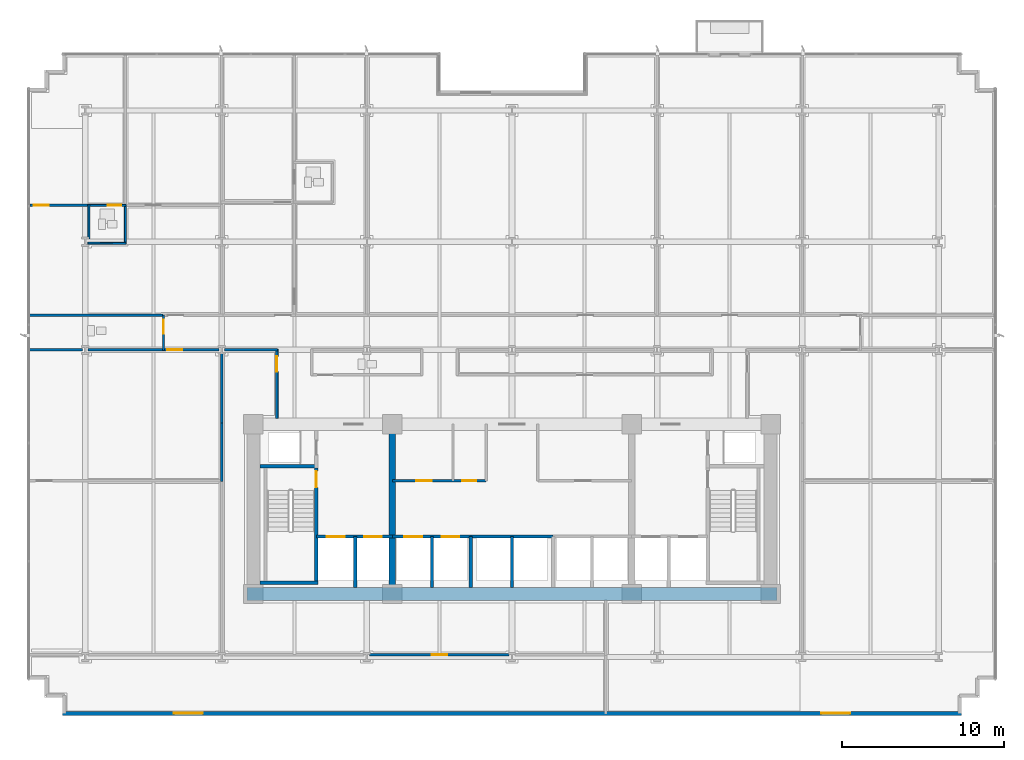
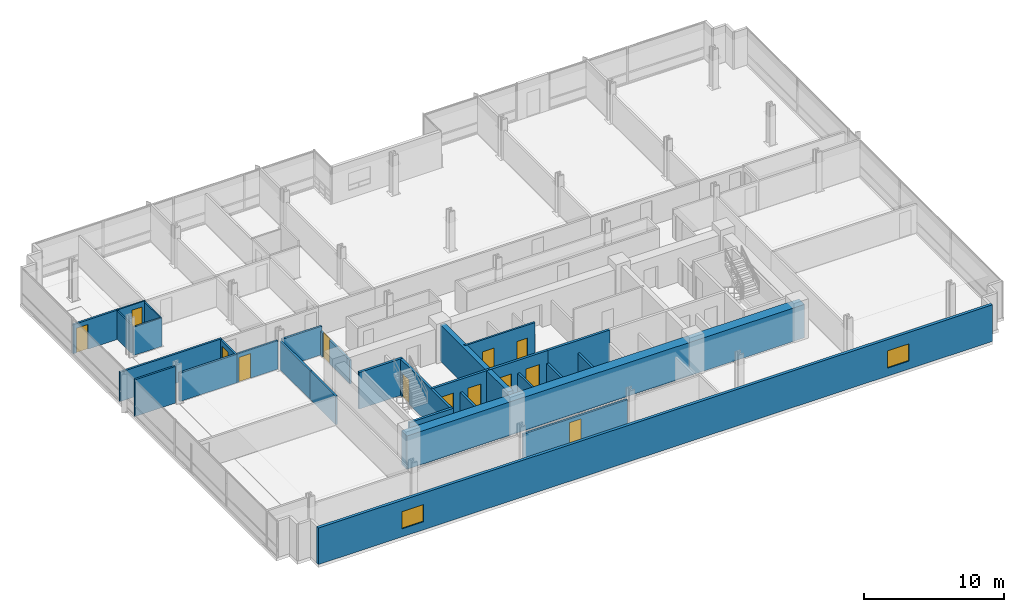
# One storey, part 12 of 21: 29 walls, 13 doors, 2 windows, 15 openings.
"""IFC4 building model written with IfcOpenShell, lengths in metres."""

from ifc_helpers import new_model, si_unit, direction, frame, frame_2d, origin, place, context, subcontext, project, spatial, rectangle, extrude, material, layer, layer_set, type_object, element, fill, save


model = new_model("IFC4")

# Units and contexts
model_context = context("Model", 3, precision=1e-05, world=origin(), true_north=direction((0.0, 1.0)))
body_context = subcontext(model_context, "Body", "Model", "MODEL_VIEW")
ifc_project = project(units=[si_unit("LENGTHUNIT", "METRE"), si_unit("AREAUNIT", "SQUARE_METRE"), si_unit("VOLUMEUNIT", "CUBIC_METRE"), si_unit("PLANEANGLEUNIT", "RADIAN"), si_unit("MASSUNIT", "GRAM", prefix="KILO")], contexts=[model_context])

# Site, building, storey
site_placement = place(None, origin())
site = spatial("IfcSite", under=ifc_project, at=site_placement, CompositionType="ELEMENT")
building_placement = place(site_placement, origin())
building = spatial("IfcBuilding", under=site, at=building_placement, Name="Solmavex Isthmus Hotel", CompositionType="ELEMENT")
storey_placement = place(building_placement, frame((0.0, 0.0, 60.89990234375)))
storey = spatial("IfcBuildingStorey", under=building, at=storey_placement, Name="L16", CompositionType="ELEMENT", Elevation=60.89990234375)

# Wall, openings, windows
ifc_material_1 = material(Name="Precast Concrete C40/50", Category="concrete")
ifc_layer_1 = layer(ifc_material_1, 0.25)
ifc_layer_set_1 = layer_set([ifc_layer_1], Name="Precast Concrete C40/50")
wall_type_1 = type_object("IfcWallType", Name="EW-TWR-250", PredefinedType="STANDARD", material=ifc_layer_set_1)
wall_1_placement = place(storey_placement, frame((-27.800048828125, -20.3798828125, 0.0), z_axis=(0.0, 0.0, 1.0), x_axis=(1.0, 0.0, 0.0)))
wall_1 = element("IfcWall", 1, at=wall_1_placement, inside=storey, type_object=wall_type_1, Name="Tower Rear South Facade Wall L16", PredefinedType="STANDARD", context=body_context, shape_type="SweptSolid", body=[
    extrude(rectangle(XDim=55.60009765625, YDim=0.239990234375, at=frame_2d((27.800048828125, 0.0))), origin(), (0.0, 0.0, 1.0), 3.190185546875),
])
opening_1_placement = place(wall_1_placement, frame((6.884033203125, 0.0, 0.699951171875)))
opening_1 = element("IfcOpeningElement", 2, at=opening_1_placement, cuts=wall_1, Name="Opening WN-02", PredefinedType="OPENING", context=body_context, shape_type="SweptSolid", body=[
    extrude(rectangle(XDim=1.800048828125, YDim=1.5, at=frame_2d((0.89990234375, 0.75))), frame((0.0, 0.1298828125, 0.0), z_axis=(0.0, -1.0, 0.0), x_axis=(1.0, 0.0, 0.0)), (0.0, 0.0, 1.0), 0.260009765625),
])
opening_2_placement = place(wall_1_placement, frame((46.916015625, 0.0, 0.699951171875)))
opening_2 = element("IfcOpeningElement", 3, at=opening_2_placement, cuts=wall_1, Name="Opening WN-02", PredefinedType="OPENING", context=body_context, shape_type="SweptSolid", body=[
    extrude(rectangle(XDim=1.800048828125, YDim=1.5, at=frame_2d((0.89990234375, 0.75))), frame((0.0, 0.1298828125, 0.0), z_axis=(0.0, -1.0, 0.0), x_axis=(1.0, 0.0, 0.0)), (0.0, 0.0, 1.0), 0.260009765625),
])
ifc_material_2 = material(Name="Clear low-E laminated glass", Category="glass")
window_type = type_object("IfcWindowType", Name="WIN-TWR-1800", PartitioningType="SINGLE_PANEL", PredefinedType="WINDOW", material=ifc_material_2)
window_1_placement = place(opening_1_placement, origin())
window_1 = element("IfcWindow", 4, at=window_1_placement, inside=storey, type_object=window_type, Name="South Facade Vision Window L16-S1", OverallHeight=1.5, OverallWidth=1.800048828125, PartitioningType="SINGLE_PANEL", PredefinedType="WINDOW", context=body_context, shape_type="SweptSolid", body=[
    extrude(rectangle(XDim=1.800048828125, YDim=1.5, at=frame_2d((0.89990234375, 0.75))), frame((0.0, 0.030029296875, 0.0), z_axis=(0.0, -1.0, 0.0), x_axis=(1.0, 0.0, 0.0)), (0.0, 0.0, 1.0), 0.06005859375),
])
fill(opening_1, window_1)
window_2_placement = place(opening_2_placement, origin())
window_2 = element("IfcWindow", 5, at=window_2_placement, inside=storey, type_object=window_type, Name="South Facade Vision Window L16-S2", OverallHeight=1.5, OverallWidth=1.800048828125, PartitioningType="SINGLE_PANEL", PredefinedType="WINDOW", context=body_context, shape_type="SweptSolid", body=[
    extrude(rectangle(XDim=1.800048828125, YDim=1.5, at=frame_2d((0.89990234375, 0.75))), frame((0.0, 0.030029296875, 0.0), z_axis=(0.0, -1.0, 0.0), x_axis=(1.0, 0.0, 0.0)), (0.0, 0.0, 1.0), 0.06005859375),
])
fill(opening_2, window_2)

# Wall, opening, door
ifc_material_3 = material(Name="Gypsum plasterboard lining", Category="gypsum")
ifc_layer_2 = layer(ifc_material_3, 0.159912109375)
ifc_layer_set_2 = layer_set([ifc_layer_2], Name="Gypsum plasterboard lining")
wall_type_2 = type_object("IfcWallType", Name="IW-COMP-160", PredefinedType="PARTITIONING", material=ifc_layer_set_2)
wall_2_placement = place(storey_placement, frame((-29.800048828125, 11.0380859375, 0.0), z_axis=(0.0, 0.0, 1.0), x_axis=(1.0, 0.0, 0.0)))
wall_2 = element("IfcWall", 6, at=wall_2_placement, inside=storey, type_object=wall_type_2, Name="Interior Partition Wall W-L16-P029", PredefinedType="PARTITIONING", context=body_context, shape_type="SweptSolid", body=[
    extrude(rectangle(XDim=3.674072265625, YDim=0.159912109375, at=frame_2d((1.8369140625, 0.0))), origin(), (0.0, 0.0, 1.0), 2.55322265625),
])
opening_3_placement = place(wall_2_placement, frame((0.2099609375, 0.0, 0.0)))
opening_3 = element("IfcOpeningElement", 7, at=opening_3_placement, cuts=wall_2, Name="Opening ID-C095", PredefinedType="OPENING", context=body_context, shape_type="SweptSolid", body=[
    extrude(rectangle(XDim=0.949951171875, YDim=2.14990234375, at=frame_2d((0.47509765625, 1.074951171875))), frame((0.0, 0.08984375, 0.0), z_axis=(0.0, -1.0, 0.0), x_axis=(1.0, 0.0, 0.0)), (0.0, 0.0, 1.0), 0.179931640625),
])
ifc_material_4 = material(Name="Hardwood timber", Category="wood")
door_type_1 = type_object("IfcDoorType", Name="IDR-FD60-0950", OperationType="NOTDEFINED", PredefinedType="DOOR", material=ifc_material_4)
door_1_placement = place(opening_3_placement, origin())
door_1 = element("IfcDoor", 8, at=door_1_placement, inside=storey, type_object=door_type_1, Name="Ambassador Panorama Suite Master Bedroom Door L16-02", OperationType="SINGLE_SWING_RIGHT", OverallHeight=2.14990234375, OverallWidth=0.949951171875, PredefinedType="DOOR", context=body_context, shape_type="SweptSolid", body=[
    extrude(rectangle(XDim=0.949951171875, YDim=2.14990234375, at=frame_2d((0.47509765625, 1.074951171875))), frame((0.0, 0.02490234375, 0.0), z_axis=(0.0, -1.0, 0.0), x_axis=(1.0, 0.0, 0.0)), (0.0, 0.0, 1.0), 0.050048828125),
])
fill(opening_3, door_1)

# Walls
wall_3_placement = place(storey_placement, frame((-21.511962890625, 4.22998046875, 0.0), z_axis=(0.0, 0.0, 1.0), x_axis=(-1.0, 0.0, 0.0)))
element("IfcWall", 9, at=wall_3_placement, inside=storey, type_object=wall_type_2, Name="Interior Partition Wall W-L16-P036", PredefinedType="PARTITIONING", context=body_context, shape_type="SweptSolid", body=[
    extrude(rectangle(XDim=8.407958984375, YDim=0.159912109375, at=frame_2d((4.2041015625, 0.0))), origin(), (0.0, 0.0, 1.0), 2.55322265625),
])
wall_4_placement = place(storey_placement, frame((-26.574951171875, 2.10009765625, 0.0), z_axis=(0.0, 0.0, 1.0), x_axis=(-1.0, 0.0, 0.0)))
element("IfcWall", 10, at=wall_4_placement, inside=storey, type_object=wall_type_2, Name="Interior Partition Wall W-L16-P058", PredefinedType="PARTITIONING", context=body_context, shape_type="SweptSolid", body=[
    extrude(rectangle(XDim=3.344970703125, YDim=0.159912109375, at=frame_2d((1.67236328125, 0.0))), origin(), (0.0, 0.0, 1.0), 3.190185546875),
])
wall_5_placement = place(storey_placement, frame((-21.511962890625, 2.10009765625, 0.0), z_axis=(0.0, 0.0, 1.0), x_axis=(-1.0, 0.0, 0.0)))
element("IfcWall", 11, at=wall_5_placement, inside=storey, type_object=wall_type_2, Name="Interior Partition Wall W-L16-P059", PredefinedType="PARTITIONING", context=body_context, shape_type="SweptSolid", body=[
    extrude(rectangle(XDim=4.713134765625, YDim=0.159912109375, at=frame_2d((2.3564453125, 0.0))), origin(), (0.0, 0.0, 1.0), 2.4794921875),
])
wall_6_placement = place(storey_placement, frame((-17.951904296875, 1.925048828125, 0.0), z_axis=(0.0, 0.0, 1.0), x_axis=(0.0, -1.0, 0.0)))
element("IfcWall", 12, at=wall_6_placement, inside=storey, type_object=wall_type_2, Name="Interior Partition Wall W-L16-P062", PredefinedType="PARTITIONING", context=body_context, shape_type="SweptSolid", body=[
    extrude(rectangle(XDim=4.4150390625, YDim=0.159912109375, at=frame_2d((2.20751953125, 0.0))), origin(), (0.0, 0.0, 1.0), 2.4794921875),
])
wall_7_placement = place(storey_placement, frame((-17.951904296875, -2.409912109375, 0.0), z_axis=(0.0, 0.0, 1.0), x_axis=(0.0, -1.0, 0.0)))
element("IfcWall", 13, at=wall_7_placement, inside=storey, type_object=wall_type_2, Name="Interior Partition Wall W-L16-P063", PredefinedType="PARTITIONING", context=body_context, shape_type="SweptSolid", body=[
    extrude(rectangle(XDim=3.630126953125, YDim=0.159912109375, at=frame_2d((1.81494140625, 0.0))), origin(), (0.0, 0.0, 1.0), 2.4794921875),
])

# Wall, opening, door
wall_8_placement = place(storey_placement, frame((-0.175048828125, -16.75, 0.0), z_axis=(0.0, 0.0, 1.0), x_axis=(-1.0, 0.0, 0.0)))
wall_8 = element("IfcWall", 14, at=wall_8_placement, inside=storey, type_object=wall_type_2, Name="Interior Partition Wall W-L16-P070", PredefinedType="PARTITIONING", context=body_context, shape_type="SweptSolid", body=[
    extrude(rectangle(XDim=8.6259765625, YDim=0.159912109375, at=frame_2d((4.31298828125, 0.0))), origin(), (0.0, 0.0, 1.0), 2.4794921875),
])
opening_4_placement = place(wall_8_placement, frame((3.837890625, 0.0, 0.0)))
opening_4 = element("IfcOpeningElement", 15, at=opening_4_placement, cuts=wall_8, Name="Opening ID-C095", PredefinedType="OPENING", context=body_context, shape_type="SweptSolid", body=[
    extrude(rectangle(XDim=0.949951171875, YDim=2.14990234375, at=frame_2d((0.47509765625, 1.074951171875))), frame((0.0, 0.08984375, 0.0), z_axis=(0.0, -1.0, 0.0), x_axis=(1.0, 0.0, 0.0)), (0.0, 0.0, 1.0), 0.179931640625),
])
door_2_placement = place(opening_4_placement, origin())
door_2 = element("IfcDoor", 16, at=door_2_placement, inside=storey, type_object=door_type_1, Name="Corporate Briefing Office Door L16-20", OperationType="SINGLE_SWING_RIGHT", OverallHeight=2.14990234375, OverallWidth=0.949951171875, PredefinedType="DOOR", context=body_context, shape_type="SweptSolid", body=[
    extrude(rectangle(XDim=0.949951171875, YDim=2.14990234375, at=frame_2d((0.47509765625, 1.074951171875))), frame((0.0, 0.02490234375, 0.0), z_axis=(0.0, -1.0, 0.0), x_axis=(1.0, 0.0, 0.0)), (0.0, 0.0, 1.0), 0.050048828125),
])
fill(opening_4, door_2)

# Wall, openings, doors
ifc_layer_3 = layer(ifc_material_3, 0.14990234375)
ifc_layer_set_3 = layer_set([ifc_layer_3], Name="Gypsum plasterboard lining")
wall_type_3 = type_object("IfcWallType", Name="IW-CORR-150", PredefinedType="PARTITIONING", material=ifc_layer_set_3)
wall_9_placement = place(storey_placement, frame((-7.39990234375, -6.0, 0.0), z_axis=(0.0, 0.0, 1.0), x_axis=(1.0, 0.0, 0.0)))
wall_9 = element("IfcWall", 17, at=wall_9_placement, inside=storey, type_object=wall_type_3, Name="Interior Partition Wall W-L16-BOH-WS", PredefinedType="PARTITIONING", context=body_context, shape_type="SweptSolid", body=[
    extrude(rectangle(XDim=5.7998046875, YDim=0.14990234375, at=frame_2d((2.89990234375, 0.0))), origin(), (0.0, 0.0, 1.0), 3.190185546875),
])
opening_5_placement = place(wall_9_placement, frame((1.47509765625, 0.0, 0.0)))
opening_5 = element("IfcOpeningElement", 18, at=opening_5_placement, cuts=wall_9, Name="Opening ID-C095", PredefinedType="OPENING", context=body_context, shape_type="SweptSolid", body=[
    extrude(rectangle(XDim=0.949951171875, YDim=2.14990234375, at=frame_2d((0.47509765625, 1.074951171875))), frame((0.0, 0.0849609375, 0.0), z_axis=(0.0, -1.0, 0.0), x_axis=(1.0, 0.0, 0.0)), (0.0, 0.0, 1.0), 0.169921875),
])
opening_6_placement = place(wall_9_placement, frame((4.324951171875, 0.0, 0.0)))
opening_6 = element("IfcOpeningElement", 19, at=opening_6_placement, cuts=wall_9, Name="Opening ID-R085", PredefinedType="OPENING", context=body_context, shape_type="SweptSolid", body=[
    extrude(rectangle(XDim=0.85009765625, YDim=2.050048828125, at=frame_2d((0.425048828125, 1.02490234375))), frame((0.0, 0.0849609375, 0.0), z_axis=(0.0, -1.0, 0.0), x_axis=(1.0, 0.0, 0.0)), (0.0, 0.0, 1.0), 0.169921875),
])
ifc_material_5 = material(Name="Steel ASTM A500 Grade C", Category="steel")
door_type_2 = type_object("IfcDoorType", Name="IDR-FD60-0850", OperationType="NOTDEFINED", PredefinedType="DOOR", material=ifc_material_5)
door_3_placement = place(opening_6_placement, frame((0.85009765625, 0.0, 0.0), z_axis=(0.0, 0.0, 1.0), x_axis=(-1.0, 0.0, 0.0)))
door_3 = element("IfcDoor", 20, at=door_3_placement, inside=storey, type_object=door_type_2, Name="Cleaner Closet Door L16", OperationType="SINGLE_SWING_RIGHT", OverallHeight=2.050048828125, OverallWidth=0.85009765625, PredefinedType="DOOR", context=body_context, shape_type="SweptSolid", body=[
    extrude(rectangle(XDim=0.85009765625, YDim=2.050048828125, at=frame_2d((0.425048828125, 1.02490234375))), frame((0.0, 0.02490234375, 0.0), z_axis=(0.0, -1.0, 0.0), x_axis=(1.0, 0.0, 0.0)), (0.0, 0.0, 1.0), 0.050048828125),
])
fill(opening_6, door_3)
door_4_placement = place(opening_5_placement, frame((0.949951171875, 0.0, 0.0), z_axis=(0.0, 0.0, 1.0), x_axis=(-1.0, 0.0, 0.0)))
door_4 = element("IfcDoor", 21, at=door_4_placement, inside=storey, type_object=door_type_1, Name="Housekeeping Store Door L16", OperationType="SINGLE_SWING_LEFT", OverallHeight=2.14990234375, OverallWidth=0.949951171875, PredefinedType="DOOR", context=body_context, shape_type="SweptSolid", body=[
    extrude(rectangle(XDim=0.949951171875, YDim=2.14990234375, at=frame_2d((0.47509765625, 1.074951171875))), frame((0.0, 0.02490234375, 0.0), z_axis=(0.0, -1.0, 0.0), x_axis=(1.0, 0.0, 0.0)), (0.0, 0.0, 1.0), 0.050048828125),
])
fill(opening_5, door_4)

# Wall, opening, door
wall_10_placement = place(storey_placement, frame((-21.552001953125, 2.06005859375, 0.0), z_axis=(0.0, 0.0, 1.0), x_axis=(0.0, 1.0, 0.0)))
wall_10 = element("IfcWall", 22, at=wall_10_placement, inside=storey, type_object=wall_type_3, Name="Interior Partition Wall W-L16-P013", PredefinedType="PARTITIONING", context=body_context, shape_type="SweptSolid", body=[
    extrude(rectangle(XDim=2.2099609375, YDim=0.14990234375, at=frame_2d((1.10498046875, 0.0))), origin(), (0.0, 0.0, 1.0), 2.4794921875),
])
opening_7_placement = place(wall_10_placement, frame((1.037841796875, 0.0, 0.0)))
opening_7 = element("IfcOpeningElement", 23, at=opening_7_placement, cuts=wall_10, Name="Opening ID-R085", PredefinedType="OPENING", context=body_context, shape_type="SweptSolid", body=[
    extrude(rectangle(XDim=0.85009765625, YDim=2.050048828125, at=frame_2d((0.425048828125, 1.02490234375))), frame((0.0, 0.0849609375, 0.0), z_axis=(0.0, -1.0, 0.0), x_axis=(1.0, 0.0, 0.0)), (0.0, 0.0, 1.0), 0.169921875),
])
door_5_placement = place(opening_7_placement, origin())
door_5 = element("IfcDoor", 24, at=door_5_placement, inside=storey, type_object=door_type_2, Name="Public Restroom WC Door L16-13", OperationType="SINGLE_SWING_LEFT", OverallHeight=2.050048828125, OverallWidth=0.85009765625, PredefinedType="DOOR", context=body_context, shape_type="SweptSolid", body=[
    extrude(rectangle(XDim=0.85009765625, YDim=2.050048828125, at=frame_2d((0.425048828125, 1.02490234375))), frame((0.0, 0.02490234375, 0.0), z_axis=(0.0, -1.0, 0.0), x_axis=(1.0, 0.0, 0.0)), (0.0, 0.0, 1.0), 0.050048828125),
])
fill(opening_7, door_5)

wall_11_placement = place(storey_placement, frame((-18.126953125, 2.10009765625, 0.0), z_axis=(0.0, 0.0, 1.0), x_axis=(-1.0, 0.0, 0.0)))
wall_11 = element("IfcWall", 25, at=wall_11_placement, inside=storey, type_object=wall_type_3, Name="Interior Partition Wall W-L16-P023", PredefinedType="PARTITIONING", context=body_context, shape_type="SweptSolid", body=[
    extrude(rectangle(XDim=3.465087890625, YDim=0.14990234375, at=frame_2d((1.732421875, 0.0))), origin(), (0.0, 0.0, 1.0), 2.4794921875),
])
opening_8_placement = place(wall_11_placement, frame((2.252685546875, 0.0, 0.0)))
opening_8 = element("IfcOpeningElement", 26, at=opening_8_placement, cuts=wall_11, Name="Opening ID-C095", PredefinedType="OPENING", context=body_context, shape_type="SweptSolid", body=[
    extrude(rectangle(XDim=0.949951171875, YDim=2.14990234375, at=frame_2d((0.47509765625, 1.074951171875))), frame((0.0, 0.0849609375, 0.0), z_axis=(0.0, -1.0, 0.0), x_axis=(1.0, 0.0, 0.0)), (0.0, 0.0, 1.0), 0.169921875),
])
door_6_placement = place(opening_8_placement, origin())
door_6 = element("IfcDoor", 27, at=door_6_placement, inside=storey, type_object=door_type_1, Name="Executive Meeting Room Door L16-16", OperationType="SINGLE_SWING_RIGHT", OverallHeight=2.14990234375, OverallWidth=0.949951171875, PredefinedType="DOOR", context=body_context, shape_type="SweptSolid", body=[
    extrude(rectangle(XDim=0.949951171875, YDim=2.14990234375, at=frame_2d((0.47509765625, 1.074951171875))), frame((0.0, 0.02490234375, 0.0), z_axis=(0.0, -1.0, 0.0), x_axis=(1.0, 0.0, 0.0)), (0.0, 0.0, 1.0), 0.050048828125),
])
fill(opening_8, door_6)

wall_12_placement = place(storey_placement, frame((-14.5439453125, -2.139892578125, 0.0), z_axis=(0.0, 0.0, 1.0), x_axis=(0.0, 1.0, 0.0)))
wall_12 = element("IfcWall", 28, at=wall_12_placement, inside=storey, type_object=wall_type_3, Name="Interior Partition Wall W-L16-P025", PredefinedType="PARTITIONING", context=body_context, shape_type="SweptSolid", body=[
    extrude(rectangle(XDim=4.27978515625, YDim=0.14990234375, at=frame_2d((2.139892578125, 0.0))), origin(), (0.0, 0.0, 1.0), 2.0751953125),
])
opening_9_placement = place(wall_12_placement, frame((2.89990234375, 0.0, 0.0)))
opening_9 = element("IfcOpeningElement", 29, at=opening_9_placement, cuts=wall_12, Name="Opening ID-C095", PredefinedType="OPENING", context=body_context, shape_type="SweptSolid", body=[
    extrude(rectangle(XDim=0.949951171875, YDim=2.14990234375, at=frame_2d((0.47509765625, 1.074951171875))), frame((0.0, 0.0849609375, 0.0), z_axis=(0.0, -1.0, 0.0), x_axis=(1.0, 0.0, 0.0)), (0.0, 0.0, 1.0), 0.169921875),
])
door_7_placement = place(opening_9_placement, frame((0.949951171875, 0.0, 0.0), z_axis=(0.0, 0.0, 1.0), x_axis=(-1.0, 0.0, 0.0)))
door_7 = element("IfcDoor", 30, at=door_7_placement, inside=storey, type_object=door_type_1, Name="Executive Meeting Room Door L16-18", OperationType="SINGLE_SWING_RIGHT", OverallHeight=2.14990234375, OverallWidth=0.949951171875, PredefinedType="DOOR", context=body_context, shape_type="SweptSolid", body=[
    extrude(rectangle(XDim=0.949951171875, YDim=2.14990234375, at=frame_2d((0.47509765625, 1.074951171875))), frame((0.0, 0.02490234375, 0.0), z_axis=(0.0, -1.0, 0.0), x_axis=(1.0, 0.0, 0.0)), (0.0, 0.0, 1.0), 0.050048828125),
])
fill(opening_9, door_7)

# Walls
wall_13_placement = place(storey_placement, frame((-14.50390625, 2.10009765625, 0.0), z_axis=(0.0, 0.0, 1.0), x_axis=(-1.0, 0.0, 0.0)))
element("IfcWall", 31, at=wall_13_placement, inside=storey, type_object=wall_type_3, Name="Interior Partition Wall W-L16-P026", PredefinedType="PARTITIONING", context=body_context, shape_type="SweptSolid", body=[
    extrude(rectangle(XDim=3.273193359375, YDim=0.14990234375, at=frame_2d((1.63671875, 0.0))), origin(), (0.0, 0.0, 1.0), 2.4794921875),
])
ifc_layer_4 = layer(ifc_material_3, 0.1201171875)
ifc_layer_set_4 = layer_set([ifc_layer_4], Name="Gypsum plasterboard lining")
wall_type_4 = type_object("IfcWallType", Name="IW-PART-120", PredefinedType="PARTITIONING", material=ifc_layer_set_4)
wall_14_placement = place(storey_placement, frame((-26.166015625, 11.077880859375, 0.0), z_axis=(0.0, 0.0, 1.0), x_axis=(0.0, -1.0, 0.0)))
element("IfcWall", 32, at=wall_14_placement, inside=storey, type_object=wall_type_4, Name="Interior Partition Wall W-L16-P031", PredefinedType="PARTITIONING", context=body_context, shape_type="SweptSolid", body=[
    extrude(rectangle(XDim=2.114990234375, YDim=0.1201171875, at=frame_2d((1.0576171875, 0.0))), origin(), (0.0, 0.0, 1.0), 2.4794921875),
])
wall_15_placement = place(storey_placement, frame((-26.22509765625, 8.6982421875, 0.0), z_axis=(0.0, 0.0, 1.0), x_axis=(0.999990014503, -0.004468880755, 0.0)))
element("IfcWall", 33, at=wall_15_placement, inside=storey, type_object=wall_type_4, Name="Interior Partition Wall W-L16-P032", PredefinedType="PARTITIONING", context=body_context, shape_type="SweptSolid", body=[
    extrude(rectangle(XDim=2.34912109375, YDim=0.1201171875, at=frame_2d((1.174560546875, 0.0))), origin(), (0.0, 0.0, 1.0), 2.4794921875),
])
wall_16_placement = place(storey_placement, frame((-23.916015625, 8.64794921875, 0.0), z_axis=(0.0, 0.0, 1.0), x_axis=(0.0, 1.0, 0.0)))
element("IfcWall", 34, at=wall_16_placement, inside=storey, type_object=wall_type_4, Name="Interior Partition Wall W-L16-P033", PredefinedType="PARTITIONING", context=body_context, shape_type="SweptSolid", body=[
    extrude(rectangle(XDim=2.429931640625, YDim=0.1201171875, at=frame_2d((1.21484375, 0.0))), origin(), (0.0, 0.0, 1.0), 2.4794921875),
])

# Wall, opening, door
wall_17_placement = place(storey_placement, frame((-23.8759765625, 11.0380859375, 0.0), z_axis=(0.0, 0.0, 1.0), x_axis=(-1.0, 0.0, 0.0)))
wall_17 = element("IfcWall", 35, at=wall_17_placement, inside=storey, type_object=wall_type_4, Name="Interior Partition Wall W-L16-P038", PredefinedType="PARTITIONING", context=body_context, shape_type="SweptSolid", body=[
    extrude(rectangle(XDim=2.3720703125, YDim=0.1201171875, at=frame_2d((1.18603515625, 0.0))), origin(), (0.0, 0.0, 1.0), 2.55322265625),
])
opening_10_placement = place(wall_17_placement, frame((0.27978515625, 0.0, 0.0)))
opening_10 = element("IfcOpeningElement", 36, at=opening_10_placement, cuts=wall_17, Name="Opening ID-U085", PredefinedType="OPENING", context=body_context, shape_type="SweptSolid", body=[
    extrude(rectangle(XDim=0.85009765625, YDim=2.10009765625, at=frame_2d((0.425048828125, 1.050048828125))), frame((0.0, 0.070068359375, 0.0), z_axis=(0.0, -1.0, 0.0), x_axis=(1.0, 0.0, 0.0)), (0.0, 0.0, 1.0), 0.14013671875),
])
door_type_3 = type_object("IfcDoorType", Name="IDR-UNR-0850", OperationType="NOTDEFINED", PredefinedType="DOOR", material=ifc_material_4)
door_8_placement = place(opening_10_placement, frame((0.85009765625, 0.0, 0.0), z_axis=(0.0, 0.0, 1.0), x_axis=(-1.0, 0.0, 0.0)))
door_8 = element("IfcDoor", 37, at=door_8_placement, inside=storey, type_object=door_type_3, Name="En-suite Bathroom Door L16-04", OperationType="SINGLE_SWING_RIGHT", OverallHeight=2.10009765625, OverallWidth=0.85009765625, PredefinedType="DOOR", context=body_context, shape_type="SweptSolid", body=[
    extrude(rectangle(XDim=0.85009765625, YDim=2.10009765625, at=frame_2d((0.425048828125, 1.050048828125))), frame((0.0, 0.02490234375, 0.0), z_axis=(0.0, -1.0, 0.0), x_axis=(1.0, 0.0, 0.0)), (0.0, 0.0, 1.0), 0.050048828125),
])
fill(opening_10, door_8)

# Walls
ifc_material_6 = material(Name="Concrete C40/50", Category="concrete")
ifc_layer_5 = layer(ifc_material_6, 0.179931640625)
ifc_layer_set_5 = layer_set([ifc_layer_5], Name="Concrete C40/50")
wall_type_5 = type_object("IfcWallType", Name="IW-SHAFT-180", PredefinedType="PARTITIONING", material=ifc_layer_set_5)
for number, where, z_axis, x_axis, name in (
    (38, (-4.949951171875, -12.60009765625, 0.0), (0.0, 0.0, 1.0), (0.0, 1.0, 0.0), "Interior Partition Wall W-L16-SH-PLL-M"),
    (39, (0.0, -12.60009765625, 0.0), (0.0, 0.0, 1.0), (0.0, 1.0, 0.0), "Interior Partition Wall W-L16-SH-PLM-M"),
):
    element("IfcWall", number, at=place(storey_placement, frame(where, z_axis=z_axis, x_axis=x_axis)), inside=storey, type_object=wall_type_5, Name=name, PredefinedType="PARTITIONING", context=body_context, shape_type="SweptSolid", body=[
        extrude(rectangle(XDim=3.150146484375, YDim=0.179931640625, at=frame_2d((1.5751953125, 0.0))), origin(), (0.0, 0.0, 1.0), 2.0751953125),
    ])

# Wall, openings, doors
ifc_layer_6 = layer(ifc_material_6, 0.199951171875)
ifc_layer_set_6 = layer_set([ifc_layer_6], Name="Concrete C40/50")
wall_type_6 = type_object("IfcWallType", Name="IW-SHAFT-200", PredefinedType="PARTITIONING", material=ifc_layer_set_6)
wall_18_placement = place(storey_placement, frame((-12.10009765625, -9.449951171875, 0.0), z_axis=(0.0, 0.0, 1.0), x_axis=(1.0, 0.0, 0.0)))
wall_18 = element("IfcWall", 40, at=wall_18_placement, inside=storey, type_object=wall_type_6, Name="Interior Partition Wall W-L16-FFLW-S", PredefinedType="PARTITIONING", context=body_context, shape_type="SweptSolid", body=[
    extrude(rectangle(XDim=4.7001953125, YDim=0.199951171875, at=frame_2d((2.35009765625, 0.0))), origin(), (0.0, 0.0, 1.0), 3.190185546875),
])
opening_11_placement = place(wall_18_placement, frame((0.64990234375, 0.0, 0.0)))
opening_11 = element("IfcOpeningElement", 41, at=opening_11_placement, cuts=wall_18, Name="Opening LD-FF", PredefinedType="OPENING", context=body_context, shape_type="SweptSolid", body=[
    extrude(rectangle(XDim=1.10009765625, YDim=2.199951171875, at=frame_2d((0.550048828125, 1.10009765625))), frame((0.0, 0.10986328125, 0.0), z_axis=(0.0, -1.0, 0.0), x_axis=(1.0, 0.0, 0.0)), (0.0, 0.0, 1.0), 0.219970703125),
])
opening_12_placement = place(wall_18_placement, frame((2.949951171875, 0.0, 0.0)))
opening_12 = element("IfcOpeningElement", 42, at=opening_12_placement, cuts=wall_18, Name="Opening LD-SV", PredefinedType="OPENING", context=body_context, shape_type="SweptSolid", body=[
    extrude(rectangle(XDim=1.10009765625, YDim=2.199951171875, at=frame_2d((0.550048828125, 1.10009765625))), frame((0.0, 0.10986328125, 0.0), z_axis=(0.0, -1.0, 0.0), x_axis=(1.0, 0.0, 0.0)), (0.0, 0.0, 1.0), 0.219970703125),
])
ifc_material_7 = material(Name="Stainless steel 316", Category="steel")
door_type_4 = type_object("IfcDoorType", Name="LDR-FF-1100", OperationType="NOTDEFINED", PredefinedType="DOOR", material=ifc_material_7)
door_9_placement = place(opening_11_placement, origin())
door_9 = element("IfcDoor", 43, at=door_9_placement, inside=storey, type_object=door_type_4, Name="Lift Landing Door FFL-1 L16", OperationType="SLIDING_TO_LEFT", OverallHeight=2.199951171875, OverallWidth=1.10009765625, PredefinedType="DOOR", context=body_context, shape_type="SweptSolid", body=[
    extrude(rectangle(XDim=1.10009765625, YDim=2.199951171875, at=frame_2d((0.550048828125, 1.10009765625))), frame((0.0, 0.02490234375, 0.0), z_axis=(0.0, -1.0, 0.0), x_axis=(1.0, 0.0, 0.0)), (0.0, 0.0, 1.0), 0.050048828125),
])
fill(opening_11, door_9)
door_type_5 = type_object("IfcDoorType", Name="LDR-SV-1100", OperationType="NOTDEFINED", PredefinedType="DOOR", material=ifc_material_7)
door_10_placement = place(opening_12_placement, origin())
door_10 = element("IfcDoor", 44, at=door_10_placement, inside=storey, type_object=door_type_5, Name="Lift Landing Door SVL-1 L16", OperationType="SLIDING_TO_RIGHT", OverallHeight=2.199951171875, OverallWidth=1.10009765625, PredefinedType="DOOR", context=body_context, shape_type="SweptSolid", body=[
    extrude(rectangle(XDim=1.10009765625, YDim=2.199951171875, at=frame_2d((0.550048828125, 1.10009765625))), frame((0.0, 0.02490234375, 0.0), z_axis=(0.0, -1.0, 0.0), x_axis=(1.0, 0.0, 0.0)), (0.0, 0.0, 1.0), 0.050048828125),
])
fill(opening_12, door_10)

# Wall
wall_19_placement = place(storey_placement, frame((-9.699951171875, -12.60009765625, 0.0), z_axis=(0.0, 0.0, 1.0), x_axis=(0.0, 1.0, 0.0)))
element("IfcWall", 45, at=wall_19_placement, inside=storey, type_object=wall_type_6, Name="Interior Partition Wall W-L16-FFLW-M", PredefinedType="PARTITIONING", context=body_context, shape_type="SweptSolid", body=[
    extrude(rectangle(XDim=3.150146484375, YDim=0.199951171875, at=frame_2d((1.5751953125, 0.0))), origin(), (0.0, 0.0, 1.0), 2.0751953125),
])

# Wall, openings, doors
wall_20_placement = place(storey_placement, frame((-7.39990234375, -9.449951171875, 0.0), z_axis=(0.0, 0.0, 1.0), x_axis=(1.0, 0.0, 0.0)))
wall_20 = element("IfcWall", 46, at=wall_20_placement, inside=storey, type_object=wall_type_6, Name="Interior Partition Wall W-L16-SH-PLL", PredefinedType="PARTITIONING", context=body_context, shape_type="SweptSolid", body=[
    extrude(rectangle(XDim=4.849853515625, YDim=0.199951171875, at=frame_2d((2.4248046875, 0.0))), origin(), (0.0, 0.0, 1.0), 3.190185546875),
])
opening_13_placement = place(wall_20_placement, frame((0.75, 0.0, 0.0)))
opening_13 = element("IfcOpeningElement", 47, at=opening_13_placement, cuts=wall_20, Name="Opening LD-PL", PredefinedType="OPENING", context=body_context, shape_type="SweptSolid", body=[
    extrude(rectangle(XDim=1.10009765625, YDim=2.199951171875, at=frame_2d((0.550048828125, 1.10009765625))), frame((0.0, 0.10986328125, 0.0), z_axis=(0.0, -1.0, 0.0), x_axis=(1.0, 0.0, 0.0)), (0.0, 0.0, 1.0), 0.219970703125),
])
opening_14_placement = place(wall_20_placement, frame((3.050048828125, 0.0, 0.0)))
opening_14 = element("IfcOpeningElement", 48, at=opening_14_placement, cuts=wall_20, Name="Opening LD-PL", PredefinedType="OPENING", context=body_context, shape_type="SweptSolid", body=[
    extrude(rectangle(XDim=1.10009765625, YDim=2.199951171875, at=frame_2d((0.550048828125, 1.10009765625))), frame((0.0, 0.10986328125, 0.0), z_axis=(0.0, -1.0, 0.0), x_axis=(1.0, 0.0, 0.0)), (0.0, 0.0, 1.0), 0.219970703125),
])
door_type_6 = type_object("IfcDoorType", Name="LDR-PL-1100", OperationType="NOTDEFINED", PredefinedType="DOOR", material=ifc_material_7)
door_11_placement = place(opening_13_placement, origin())
door_11 = element("IfcDoor", 49, at=door_11_placement, inside=storey, type_object=door_type_6, Name="Lift Landing Door PLL1 L16", OperationType="SLIDING_TO_LEFT", OverallHeight=2.199951171875, OverallWidth=1.10009765625, PredefinedType="DOOR", context=body_context, shape_type="SweptSolid", body=[
    extrude(rectangle(XDim=1.10009765625, YDim=2.199951171875, at=frame_2d((0.550048828125, 1.10009765625))), frame((0.0, 0.02490234375, 0.0), z_axis=(0.0, -1.0, 0.0), x_axis=(1.0, 0.0, 0.0)), (0.0, 0.0, 1.0), 0.050048828125),
])
fill(opening_13, door_11)
door_12_placement = place(opening_14_placement, origin())
door_12 = element("IfcDoor", 50, at=door_12_placement, inside=storey, type_object=door_type_6, Name="Lift Landing Door PLL2 L16", OperationType="SLIDING_TO_LEFT", OverallHeight=2.199951171875, OverallWidth=1.10009765625, PredefinedType="DOOR", context=body_context, shape_type="SweptSolid", body=[
    extrude(rectangle(XDim=1.10009765625, YDim=2.199951171875, at=frame_2d((0.550048828125, 1.10009765625))), frame((0.0, 0.02490234375, 0.0), z_axis=(0.0, -1.0, 0.0), x_axis=(1.0, 0.0, 0.0)), (0.0, 0.0, 1.0), 0.050048828125),
])
fill(opening_14, door_12)

# Walls
wall_21_placement = place(storey_placement, frame((-2.550048828125, -12.60009765625, 0.0), z_axis=(0.0, 0.0, 1.0), x_axis=(0.0, 1.0, 0.0)))
element("IfcWall", 51, at=wall_21_placement, inside=storey, type_object=wall_type_6, Name="Interior Partition Wall W-L16-SH-PLL-E", PredefinedType="PARTITIONING", context=body_context, shape_type="SweptSolid", body=[
    extrude(rectangle(XDim=3.150146484375, YDim=0.199951171875, at=frame_2d((1.5751953125, 0.0))), origin(), (0.0, 0.0, 1.0), 2.0751953125),
])
wall_22_placement = place(storey_placement, frame((-2.550048828125, -9.449951171875, 0.0), z_axis=(0.0, 0.0, 1.0), x_axis=(1.0, 0.0, 0.0)))
element("IfcWall", 52, at=wall_22_placement, inside=storey, type_object=wall_type_6, Name="Interior Partition Wall W-L16-SH-PLM", PredefinedType="PARTITIONING", context=body_context, shape_type="SweptSolid", body=[
    extrude(rectangle(XDim=5.10009765625, YDim=0.199951171875, at=frame_2d((2.550048828125, 0.0))), origin(), (0.0, 0.0, 1.0), 3.190185546875),
])
ifc_material_8 = material(Name="Concrete C70/85", Category="concrete")
ifc_layer_7 = layer(ifc_material_8, 0.39990234375)
ifc_layer_set_7 = layer_set([ifc_layer_7], Name="Concrete C70/85")
wall_type_7 = type_object("IfcWallType", Name="WALL-CW-400L", PredefinedType="SHEAR", material=ifc_layer_set_7)
wall_23_placement = place(storey_placement, frame((-7.39990234375, -12.60009765625, 0.0), z_axis=(0.0, 0.0, 1.0), x_axis=(0.0, 1.0, 0.0)))
element("IfcWall", 53, at=wall_23_placement, inside=storey, type_object=wall_type_7, Name="Core Cross Shear Wall C1 L16", PredefinedType="SHEAR", context=body_context, shape_type="SweptSolid", body=[
    extrude(rectangle(XDim=9.7001953125, YDim=0.39990234375, at=frame_2d((4.85009765625, 0.0))), origin(), (0.0, 0.0, 1.0), 3.190185546875),
])
ifc_layer_8 = layer(ifc_material_8, 0.800048828125)
ifc_layer_set_8 = layer_set([ifc_layer_8], Name="Concrete C70/85")
wall_type_8 = type_object("IfcWallType", Name="WALL-CW-800", PredefinedType="SHEAR", material=ifc_layer_set_8)
wall_24_placement = place(storey_placement, frame((-16.39990234375, -13.0, 0.0), z_axis=(0.0, 0.0, 1.0), x_axis=(1.0, 0.0, 0.0)))
element("IfcWall", 54, at=wall_24_placement, inside=storey, type_object=wall_type_8, Name="Core Shear Wall South L16", PredefinedType="SHEAR", context=body_context, shape_type="SweptSolid", body=[
    extrude(rectangle(XDim=32.7998046875, YDim=0.800048828125, at=frame_2d((16.39990234375, 0.0))), origin(), (0.0, 0.0, 1.0), 2.91015625),
])
ifc_layer_9 = layer(ifc_material_6, 0.199951171875)
ifc_layer_set_9 = layer_set([ifc_layer_9], Name="Concrete C40/50")
wall_type_9 = type_object("IfcWallType", Name="WALL-SW-200", PredefinedType="SOLIDWALL", material=ifc_layer_set_9)
for number, where, z_axis, x_axis, name in (
    (55, (-15.60009765625, -12.300048828125, 0.0), (0.0, 0.0, 1.0), (1.0, 0.0, 0.0), "Stairwell Structural Wall SW-L16-ST1-S"),
    (56, (-15.60009765625, -5.10009765625, 0.0), (0.0, 0.0, 1.0), (1.0, 0.0, 0.0), "Stairwell Structural Wall SW-L16-ST1-N"),
):
    element("IfcWall", number, at=place(storey_placement, frame(where, z_axis=z_axis, x_axis=x_axis)), inside=storey, type_object=wall_type_9, Name=name, PredefinedType="SOLIDWALL", context=body_context, shape_type="SweptSolid", body=[
        extrude(rectangle(XDim=3.60009765625, YDim=0.199951171875, at=frame_2d((1.800048828125, 0.0))), origin(), (0.0, 0.0, 1.0), 3.190185546875),
    ])

# Wall, opening, door
wall_25_placement = place(storey_placement, frame((-12.10009765625, -12.199951171875, 0.0), z_axis=(0.0, 0.0, 1.0), x_axis=(0.0, 1.0, 0.0)))
wall_25 = element("IfcWall", 57, at=wall_25_placement, inside=storey, type_object=wall_type_9, Name="Stairwell Structural Wall SW-L16-ST1-E", PredefinedType="SOLIDWALL", context=body_context, shape_type="SweptSolid", body=[
    extrude(rectangle(XDim=7.0, YDim=0.199951171875, at=frame_2d((3.5, 0.0))), origin(), (0.0, 0.0, 1.0), 3.190185546875),
])
opening_15_placement = place(wall_25_placement, frame((5.800048828125, 0.0, 0.0)))
opening_15 = element("IfcOpeningElement", 58, at=opening_15_placement, cuts=wall_25, Name="Opening ID-F100", PredefinedType="OPENING", context=body_context, shape_type="SweptSolid", body=[
    extrude(rectangle(XDim=1.0, YDim=2.10009765625, at=frame_2d((0.5, 1.050048828125))), frame((0.0, 0.10986328125, 0.0), z_axis=(0.0, -1.0, 0.0), x_axis=(1.0, 0.0, 0.0)), (0.0, 0.0, 1.0), 0.219970703125),
])
door_type_7 = type_object("IfcDoorType", Name="IDR-FD90-1000", OperationType="NOTDEFINED", PredefinedType="DOOR", material=ifc_material_5)
door_13_placement = place(opening_15_placement, frame((1.0, 0.0, 0.0), z_axis=(0.0, 0.0, 1.0), x_axis=(-1.0, 0.0, 0.0)))
door_13 = element("IfcDoor", 59, at=door_13_placement, inside=storey, type_object=door_type_7, Name="Stair ST-1 Fire Door L16", OperationType="SINGLE_SWING_LEFT", OverallHeight=2.10009765625, OverallWidth=1.0, PredefinedType="DOOR", context=body_context, shape_type="SweptSolid", body=[
    extrude(rectangle(XDim=1.0, YDim=2.10009765625, at=frame_2d((0.5, 1.050048828125))), frame((0.0, 0.02490234375, 0.0), z_axis=(0.0, -1.0, 0.0), x_axis=(1.0, 0.0, 0.0)), (0.0, 0.0, 1.0), 0.050048828125),
])
fill(opening_15, door_13)

save(model, "model.ifc")
